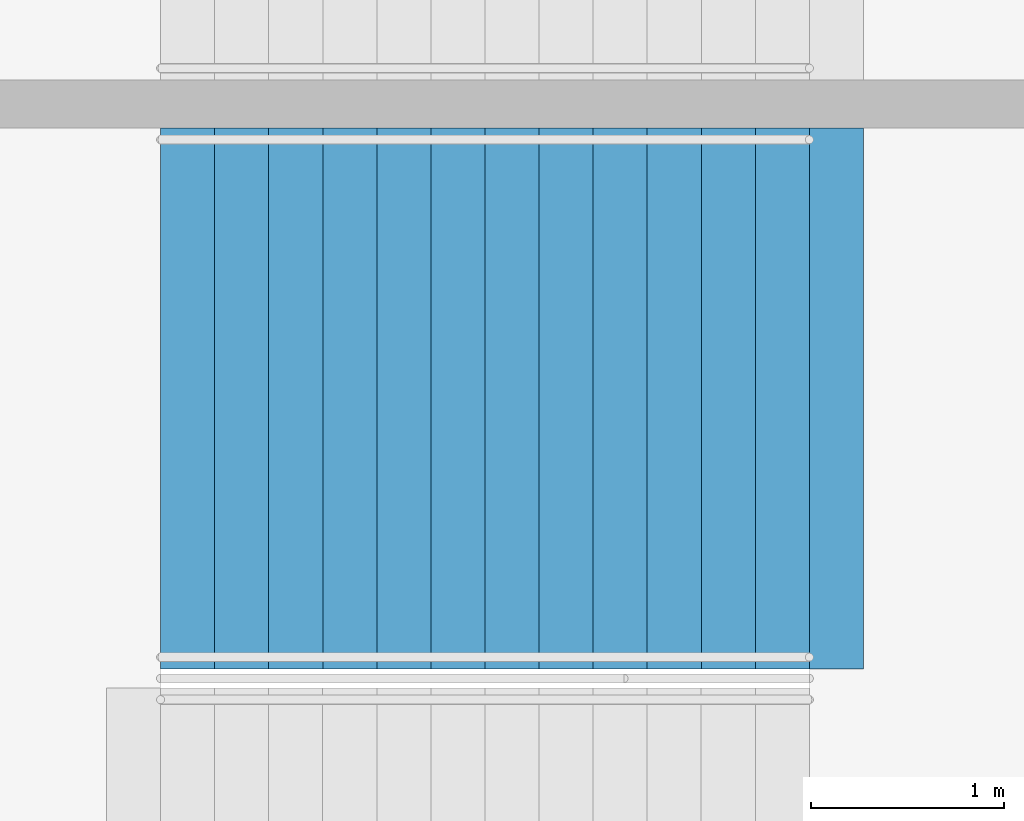
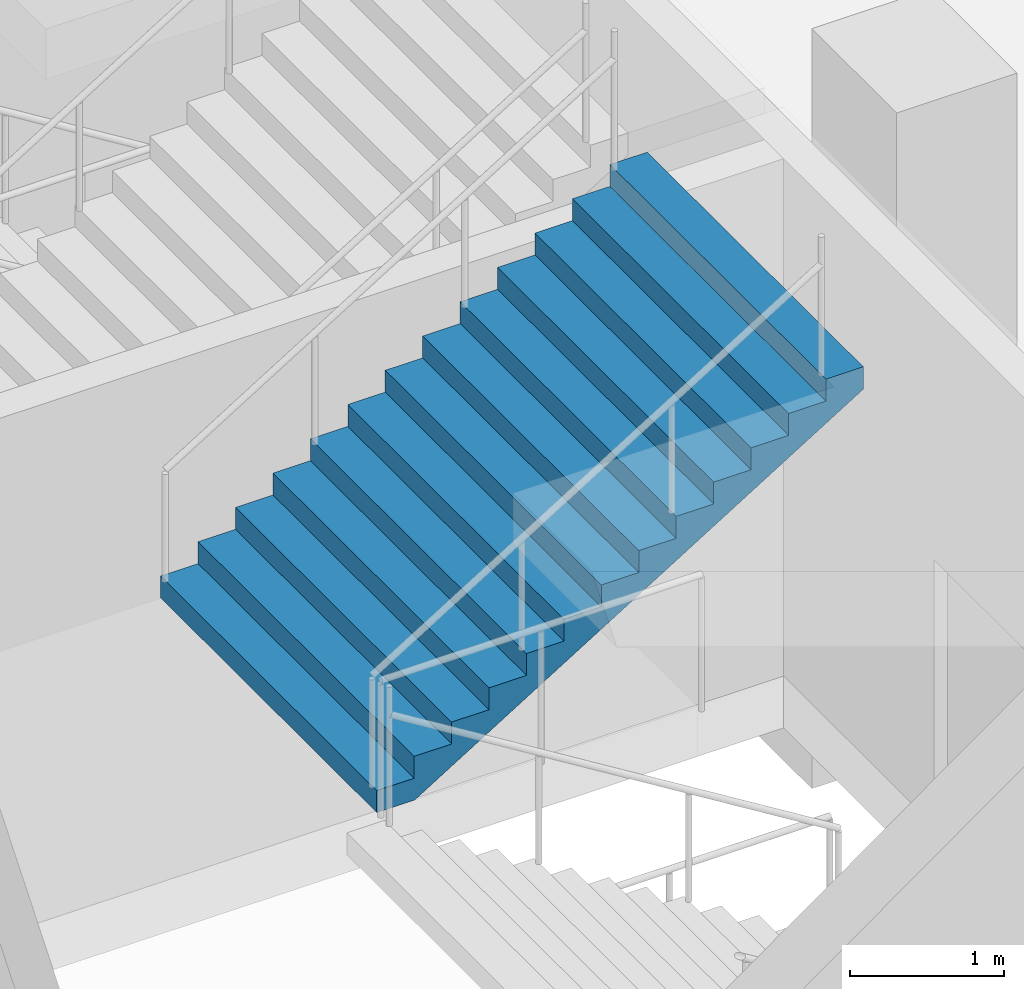
# One storey, part 166 of 249: 1 stair flight, 1 element without a shape of its own.
"""IFC4 building model written with IfcOpenShell, lengths in metres."""

from ifc_helpers import new_model, si_unit, direction, frame, origin, place, context, subcontext, project, spatial, faceted_brep, material, type_object, element, aggregate, save


model = new_model("IFC4")

# Units and contexts
model_context = context("Model", 3, precision=1e-05, world=origin(), true_north=direction((0.0, 1.0)))
body_context = subcontext(model_context, "Body", "Model", "MODEL_VIEW")
ifc_project = project(units=[si_unit("LENGTHUNIT", "METRE"), si_unit("AREAUNIT", "SQUARE_METRE"), si_unit("VOLUMEUNIT", "CUBIC_METRE"), si_unit("PLANEANGLEUNIT", "RADIAN"), si_unit("MASSUNIT", "GRAM", prefix="KILO")], contexts=[model_context])

# Site, building, storey
site_placement = place(None, origin())
site = spatial("IfcSite", under=ifc_project, at=site_placement, CompositionType="ELEMENT")
building_placement = place(site_placement, origin())
building = spatial("IfcBuilding", under=site, at=building_placement, Name="Ogive Plaza Stadium", CompositionType="ELEMENT")
storey_placement = place(building_placement, frame((0.0, 0.0, 13.5)))
storey = spatial("IfcBuildingStorey", under=building, at=storey_placement, Name="L03", CompositionType="ELEMENT", Elevation=13.5)

# Stair, stair flight
ifc_material_1 = material(Name="Concrete C40/50", Category="concrete")
stair_type = type_object("IfcStairType", Name="Exit stair", PredefinedType="STRAIGHT_RUN_STAIR", material=ifc_material_1)
stair_placement = place(storey_placement, origin())
stair = element("IfcStair", 1, at=stair_placement, inside=storey, type_object=stair_type, Name="Exit stair ST26B L03 to L04", PredefinedType="STRAIGHT_RUN_STAIR")
ifc_material_2 = material(Name="Concrete C40/50", Category="concrete")
stair_flight_type = type_object("IfcStairFlightType", Name="Exit stair flight", PredefinedType="STRAIGHT", material=ifc_material_2)
stair_flight_placement = place(storey_placement, frame((-79.7099609375, 20.97509765625, 2.25), z_axis=(0.0, 0.0, 1.0), x_axis=(1.0, 0.0, 0.0)))
stair_flight = element("IfcStairFlight", 2, at=stair_flight_placement, type_object=stair_flight_type, Name="ST26B flight 2", NumberOfRisers=13, NumberOfTreads=12, PredefinedType="STRAIGHT", RiserHeight=0.173076923, TreadLength=0.28, context=body_context, shape_type="Brep", body=[
    faceted_brep([(0.28515625, -1.39990234375, 0.0), (3.639892578125, -1.39990234375, 2.07373046875), (3.639892578125, -1.39990234375, 2.25), (3.360107421875, -1.39990234375, 2.25), (3.360107421875, -1.39990234375, 2.076904296875), (3.080078125, -1.39990234375, 2.076904296875), (3.080078125, -1.39990234375, 1.90380859375), (2.800048828125, -1.39990234375, 1.90380859375), (2.800048828125, -1.39990234375, 1.730712890625), (2.52001953125, -1.39990234375, 1.730712890625), (2.52001953125, -1.39990234375, 1.5576171875), (2.239990234375, -1.39990234375, 1.5576171875), (2.239990234375, -1.39990234375, 1.384521484375), (1.9599609375, -1.39990234375, 1.384521484375), (1.9599609375, -1.39990234375, 1.21142578125), (1.679931640625, -1.39990234375, 1.21142578125), (1.679931640625, -1.39990234375, 1.03857421875), (1.39990234375, -1.39990234375, 1.03857421875), (1.39990234375, -1.39990234375, 0.865478515625), (1.1201171875, -1.39990234375, 0.865478515625), (1.1201171875, -1.39990234375, 0.6923828125), (0.840087890625, -1.39990234375, 0.6923828125), (0.840087890625, -1.39990234375, 0.519287109375), (0.56005859375, -1.39990234375, 0.519287109375), (0.56005859375, -1.39990234375, 0.34619140625), (0.280029296875, -1.39990234375, 0.34619140625), (0.280029296875, -1.39990234375, 0.173095703125), (0.0, -1.39990234375, 0.173095703125), (0.0, -1.39990234375, 0.0), (0.0, 1.39990234375, 0.0), (0.0, 1.39990234375, 0.173095703125), (0.280029296875, 1.39990234375, 0.173095703125), (0.280029296875, 1.39990234375, 0.34619140625), (0.56005859375, 1.39990234375, 0.34619140625), (0.56005859375, 1.39990234375, 0.519287109375), (0.840087890625, 1.39990234375, 0.519287109375), (0.840087890625, 1.39990234375, 0.6923828125), (1.1201171875, 1.39990234375, 0.6923828125), (1.1201171875, 1.39990234375, 0.865478515625), (1.39990234375, 1.39990234375, 0.865478515625), (1.39990234375, 1.39990234375, 1.03857421875), (1.679931640625, 1.39990234375, 1.03857421875), (1.679931640625, 1.39990234375, 1.21142578125), (1.9599609375, 1.39990234375, 1.21142578125), (1.9599609375, 1.39990234375, 1.384521484375), (2.239990234375, 1.39990234375, 1.384521484375), (2.239990234375, 1.39990234375, 1.5576171875), (2.52001953125, 1.39990234375, 1.5576171875), (2.52001953125, 1.39990234375, 1.730712890625), (2.800048828125, 1.39990234375, 1.730712890625), (2.800048828125, 1.39990234375, 1.90380859375), (3.080078125, 1.39990234375, 1.90380859375), (3.080078125, 1.39990234375, 2.076904296875), (3.360107421875, 1.39990234375, 2.076904296875), (3.360107421875, 1.39990234375, 2.25), (3.639892578125, 1.39990234375, 2.25), (3.639892578125, 1.39990234375, 2.07373046875), (0.28515625, 1.39990234375, 0.0), (0.28515625, -1.0888671875, 0.0), (3.639892578125, -1.0888671875, 2.07373046875), (0.28515625, -0.77783203125, 0.0), (3.639892578125, -0.77783203125, 2.07373046875), (0.28515625, -0.466796875, 0.0), (3.639892578125, -0.466796875, 2.07373046875), (0.28515625, -0.155517578125, 0.0), (3.639892578125, -0.155517578125, 2.07373046875), (0.28515625, 0.155517578125, 0.0), (3.639892578125, 0.155517578125, 2.07373046875), (0.28515625, 0.466796875, 0.0), (3.639892578125, 0.466796875, 2.07373046875), (0.28515625, 0.77783203125, 0.0), (3.639892578125, 0.77783203125, 2.07373046875), (0.28515625, 1.0888671875, 0.0), (3.639892578125, 1.0888671875, 2.07373046875), (3.639892578125, -1.0888671875, 2.25), (3.639892578125, -0.77783203125, 2.25), (3.639892578125, -0.466796875, 2.25), (3.639892578125, -0.155517578125, 2.25), (3.639892578125, 0.155517578125, 2.25), (3.639892578125, 0.466796875, 2.25), (3.639892578125, 0.77783203125, 2.25), (3.639892578125, 1.0888671875, 2.25), (3.360107421875, -1.0888671875, 2.25), (3.360107421875, -0.77783203125, 2.25), (3.360107421875, -0.466796875, 2.25), (3.360107421875, -0.155517578125, 2.25), (3.360107421875, 0.155517578125, 2.25), (3.360107421875, 0.466796875, 2.25), (3.360107421875, 0.77783203125, 2.25), (3.360107421875, 1.0888671875, 2.25), (3.360107421875, -1.0888671875, 2.076904296875), (3.360107421875, -0.77783203125, 2.076904296875), (3.360107421875, -0.466796875, 2.076904296875), (3.360107421875, -0.155517578125, 2.076904296875), (3.360107421875, 0.155517578125, 2.076904296875), (3.360107421875, 0.466796875, 2.076904296875), (3.360107421875, 0.77783203125, 2.076904296875), (3.360107421875, 1.0888671875, 2.076904296875), (3.080078125, -1.0888671875, 2.076904296875), (3.080078125, -0.77783203125, 2.076904296875), (3.080078125, -0.466796875, 2.076904296875), (3.080078125, -0.155517578125, 2.076904296875), (3.080078125, 0.155517578125, 2.076904296875), (3.080078125, 0.466796875, 2.076904296875), (3.080078125, 0.77783203125, 2.076904296875), (3.080078125, 1.0888671875, 2.076904296875), (3.080078125, -1.0888671875, 1.90380859375), (3.080078125, -0.77783203125, 1.90380859375), (3.080078125, -0.466796875, 1.90380859375), (3.080078125, -0.155517578125, 1.90380859375), (3.080078125, 0.155517578125, 1.90380859375), (3.080078125, 0.466796875, 1.90380859375), (3.080078125, 0.77783203125, 1.90380859375), (3.080078125, 1.0888671875, 1.90380859375), (2.800048828125, -1.0888671875, 1.90380859375), (2.800048828125, -0.77783203125, 1.90380859375), (2.800048828125, -0.466796875, 1.90380859375), (2.800048828125, -0.155517578125, 1.90380859375), (2.800048828125, 0.155517578125, 1.90380859375), (2.800048828125, 0.466796875, 1.90380859375), (2.800048828125, 0.77783203125, 1.90380859375), (2.800048828125, 1.0888671875, 1.90380859375), (2.800048828125, -1.0888671875, 1.730712890625), (2.800048828125, -0.77783203125, 1.730712890625), (2.800048828125, -0.466796875, 1.730712890625), (2.800048828125, -0.155517578125, 1.730712890625), (2.800048828125, 0.155517578125, 1.730712890625), (2.800048828125, 0.466796875, 1.730712890625), (2.800048828125, 0.77783203125, 1.730712890625), (2.800048828125, 1.0888671875, 1.730712890625), (2.52001953125, -1.0888671875, 1.730712890625), (2.52001953125, -0.77783203125, 1.730712890625), (2.52001953125, -0.466796875, 1.730712890625), (2.52001953125, -0.155517578125, 1.730712890625), (2.52001953125, 0.155517578125, 1.730712890625), (2.52001953125, 0.466796875, 1.730712890625), (2.52001953125, 0.77783203125, 1.730712890625), (2.52001953125, 1.0888671875, 1.730712890625), (2.52001953125, -1.0888671875, 1.5576171875), (2.52001953125, -0.77783203125, 1.5576171875), (2.52001953125, -0.466796875, 1.5576171875), (2.52001953125, -0.155517578125, 1.5576171875), (2.52001953125, 0.155517578125, 1.5576171875), (2.52001953125, 0.466796875, 1.5576171875), (2.52001953125, 0.77783203125, 1.5576171875), (2.52001953125, 1.0888671875, 1.5576171875), (2.239990234375, -1.0888671875, 1.5576171875), (2.239990234375, -0.77783203125, 1.5576171875), (2.239990234375, -0.466796875, 1.5576171875), (2.239990234375, -0.155517578125, 1.5576171875), (2.239990234375, 0.155517578125, 1.5576171875), (2.239990234375, 0.466796875, 1.5576171875), (2.239990234375, 0.77783203125, 1.5576171875), (2.239990234375, 1.0888671875, 1.5576171875), (2.239990234375, -1.0888671875, 1.384521484375), (2.239990234375, -0.77783203125, 1.384521484375), (2.239990234375, -0.466796875, 1.384521484375), (2.239990234375, -0.155517578125, 1.384521484375), (2.239990234375, 0.155517578125, 1.384521484375), (2.239990234375, 0.466796875, 1.384521484375), (2.239990234375, 0.77783203125, 1.384521484375), (2.239990234375, 1.0888671875, 1.384521484375), (1.9599609375, -1.0888671875, 1.384521484375), (1.9599609375, -0.77783203125, 1.384521484375), (1.9599609375, -0.466796875, 1.384521484375), (1.9599609375, -0.155517578125, 1.384521484375), (1.9599609375, 0.155517578125, 1.384521484375), (1.9599609375, 0.466796875, 1.384521484375), (1.9599609375, 0.77783203125, 1.384521484375), (1.9599609375, 1.0888671875, 1.384521484375), (1.9599609375, -1.0888671875, 1.21142578125), (1.9599609375, -0.77783203125, 1.21142578125), (1.9599609375, -0.466796875, 1.21142578125), (1.9599609375, -0.155517578125, 1.21142578125), (1.9599609375, 0.155517578125, 1.21142578125), (1.9599609375, 0.466796875, 1.21142578125), (1.9599609375, 0.77783203125, 1.21142578125), (1.9599609375, 1.0888671875, 1.21142578125), (1.679931640625, -1.0888671875, 1.21142578125), (1.679931640625, -0.77783203125, 1.21142578125), (1.679931640625, -0.466796875, 1.21142578125), (1.679931640625, -0.155517578125, 1.21142578125), (1.679931640625, 0.155517578125, 1.21142578125), (1.679931640625, 0.466796875, 1.21142578125), (1.679931640625, 0.77783203125, 1.21142578125), (1.679931640625, 1.0888671875, 1.21142578125), (1.679931640625, -1.0888671875, 1.03857421875), (1.679931640625, -0.77783203125, 1.03857421875), (1.679931640625, -0.466796875, 1.03857421875), (1.679931640625, -0.155517578125, 1.03857421875), (1.679931640625, 0.155517578125, 1.03857421875), (1.679931640625, 0.466796875, 1.03857421875), (1.679931640625, 0.77783203125, 1.03857421875), (1.679931640625, 1.0888671875, 1.03857421875), (1.39990234375, -1.0888671875, 1.03857421875), (1.39990234375, -0.77783203125, 1.03857421875), (1.39990234375, -0.466796875, 1.03857421875), (1.39990234375, -0.155517578125, 1.03857421875), (1.39990234375, 0.155517578125, 1.03857421875), (1.39990234375, 0.466796875, 1.03857421875), (1.39990234375, 0.77783203125, 1.03857421875), (1.39990234375, 1.0888671875, 1.03857421875), (1.39990234375, -1.0888671875, 0.865478515625), (1.39990234375, -0.77783203125, 0.865478515625), (1.39990234375, -0.466796875, 0.865478515625), (1.39990234375, -0.155517578125, 0.865478515625), (1.39990234375, 0.155517578125, 0.865478515625), (1.39990234375, 0.466796875, 0.865478515625), (1.39990234375, 0.77783203125, 0.865478515625), (1.39990234375, 1.0888671875, 0.865478515625), (1.1201171875, -1.0888671875, 0.865478515625), (1.1201171875, -0.77783203125, 0.865478515625), (1.1201171875, -0.466796875, 0.865478515625), (1.1201171875, -0.155517578125, 0.865478515625), (1.1201171875, 0.155517578125, 0.865478515625), (1.1201171875, 0.466796875, 0.865478515625), (1.1201171875, 0.77783203125, 0.865478515625), (1.1201171875, 1.0888671875, 0.865478515625), (1.1201171875, -1.0888671875, 0.6923828125), (1.1201171875, -0.77783203125, 0.6923828125), (1.1201171875, -0.466796875, 0.6923828125), (1.1201171875, -0.155517578125, 0.6923828125), (1.1201171875, 0.155517578125, 0.6923828125), (1.1201171875, 0.466796875, 0.6923828125), (1.1201171875, 0.77783203125, 0.6923828125), (1.1201171875, 1.0888671875, 0.6923828125), (0.840087890625, -1.0888671875, 0.6923828125), (0.840087890625, -0.77783203125, 0.6923828125), (0.840087890625, -0.466796875, 0.6923828125), (0.840087890625, -0.155517578125, 0.6923828125), (0.840087890625, 0.155517578125, 0.6923828125), (0.840087890625, 0.466796875, 0.6923828125), (0.840087890625, 0.77783203125, 0.6923828125), (0.840087890625, 1.0888671875, 0.6923828125), (0.840087890625, -1.0888671875, 0.519287109375), (0.840087890625, -0.77783203125, 0.519287109375), (0.840087890625, -0.466796875, 0.519287109375), (0.840087890625, -0.155517578125, 0.519287109375), (0.840087890625, 0.155517578125, 0.519287109375), (0.840087890625, 0.466796875, 0.519287109375), (0.840087890625, 0.77783203125, 0.519287109375), (0.840087890625, 1.0888671875, 0.519287109375), (0.56005859375, -1.0888671875, 0.519287109375), (0.56005859375, -0.77783203125, 0.519287109375), (0.56005859375, -0.466796875, 0.519287109375), (0.56005859375, -0.155517578125, 0.519287109375), (0.56005859375, 0.155517578125, 0.519287109375), (0.56005859375, 0.466796875, 0.519287109375), (0.56005859375, 0.77783203125, 0.519287109375), (0.56005859375, 1.0888671875, 0.519287109375), (0.56005859375, -1.0888671875, 0.34619140625), (0.56005859375, -0.77783203125, 0.34619140625), (0.56005859375, -0.466796875, 0.34619140625), (0.56005859375, -0.155517578125, 0.34619140625), (0.56005859375, 0.155517578125, 0.34619140625), (0.56005859375, 0.466796875, 0.34619140625), (0.56005859375, 0.77783203125, 0.34619140625), (0.56005859375, 1.0888671875, 0.34619140625), (0.280029296875, -1.0888671875, 0.34619140625), (0.280029296875, -0.77783203125, 0.34619140625), (0.280029296875, -0.466796875, 0.34619140625), (0.280029296875, -0.155517578125, 0.34619140625), (0.280029296875, 0.155517578125, 0.34619140625), (0.280029296875, 0.466796875, 0.34619140625), (0.280029296875, 0.77783203125, 0.34619140625), (0.280029296875, 1.0888671875, 0.34619140625), (0.280029296875, -1.0888671875, 0.173095703125), (0.280029296875, -0.77783203125, 0.173095703125), (0.280029296875, -0.466796875, 0.173095703125), (0.280029296875, -0.155517578125, 0.173095703125), (0.280029296875, 0.155517578125, 0.173095703125), (0.280029296875, 0.466796875, 0.173095703125), (0.280029296875, 0.77783203125, 0.173095703125), (0.280029296875, 1.0888671875, 0.173095703125), (0.0, -1.0888671875, 0.173095703125), (0.0, -0.77783203125, 0.173095703125), (0.0, -0.466796875, 0.173095703125), (0.0, -0.155517578125, 0.173095703125), (0.0, 0.155517578125, 0.173095703125), (0.0, 0.466796875, 0.173095703125), (0.0, 0.77783203125, 0.173095703125), (0.0, 1.0888671875, 0.173095703125), (0.0, -1.0888671875, 0.0), (0.0, -0.77783203125, 0.0), (0.0, -0.466796875, 0.0), (0.0, -0.155517578125, 0.0), (0.0, 0.155517578125, 0.0), (0.0, 0.466796875, 0.0), (0.0, 0.77783203125, 0.0), (0.0, 1.0888671875, 0.0)], [[[0, 1, 2, 3, 4, 5, 6, 7, 8, 9, 10, 11, 12, 13, 14, 15, 16, 17, 18, 19, 20, 21, 22, 23, 24, 25, 26, 27, 28]], [[29, 30, 31, 32, 33, 34, 35, 36, 37, 38, 39, 40, 41, 42, 43, 44, 45, 46, 47, 48, 49, 50, 51, 52, 53, 54, 55, 56, 57]], [[0, 58, 59, 1]], [[58, 60, 61, 59]], [[60, 62, 63, 61]], [[62, 64, 65, 63]], [[64, 66, 67, 65]], [[66, 68, 69, 67]], [[68, 70, 71, 69]], [[70, 72, 73, 71]], [[72, 57, 56, 73]], [[1, 59, 74, 2]], [[59, 61, 75, 74]], [[61, 63, 76, 75]], [[63, 65, 77, 76]], [[65, 67, 78, 77]], [[67, 69, 79, 78]], [[69, 71, 80, 79]], [[71, 73, 81, 80]], [[73, 56, 55, 81]], [[2, 74, 82, 3]], [[74, 75, 83, 82]], [[75, 76, 84, 83]], [[76, 77, 85, 84]], [[77, 78, 86, 85]], [[78, 79, 87, 86]], [[79, 80, 88, 87]], [[80, 81, 89, 88]], [[81, 55, 54, 89]], [[3, 82, 90, 4]], [[82, 83, 91, 90]], [[83, 84, 92, 91]], [[84, 85, 93, 92]], [[85, 86, 94, 93]], [[86, 87, 95, 94]], [[87, 88, 96, 95]], [[88, 89, 97, 96]], [[89, 54, 53, 97]], [[4, 90, 98, 5]], [[90, 91, 99, 98]], [[91, 92, 100, 99]], [[92, 93, 101, 100]], [[93, 94, 102, 101]], [[94, 95, 103, 102]], [[95, 96, 104, 103]], [[96, 97, 105, 104]], [[97, 53, 52, 105]], [[5, 98, 106, 6]], [[98, 99, 107, 106]], [[99, 100, 108, 107]], [[100, 101, 109, 108]], [[101, 102, 110, 109]], [[102, 103, 111, 110]], [[103, 104, 112, 111]], [[104, 105, 113, 112]], [[105, 52, 51, 113]], [[6, 106, 114, 7]], [[106, 107, 115, 114]], [[107, 108, 116, 115]], [[108, 109, 117, 116]], [[109, 110, 118, 117]], [[110, 111, 119, 118]], [[111, 112, 120, 119]], [[112, 113, 121, 120]], [[113, 51, 50, 121]], [[7, 114, 122, 8]], [[114, 115, 123, 122]], [[115, 116, 124, 123]], [[116, 117, 125, 124]], [[117, 118, 126, 125]], [[118, 119, 127, 126]], [[119, 120, 128, 127]], [[120, 121, 129, 128]], [[121, 50, 49, 129]], [[8, 122, 130, 9]], [[122, 123, 131, 130]], [[123, 124, 132, 131]], [[124, 125, 133, 132]], [[125, 126, 134, 133]], [[126, 127, 135, 134]], [[127, 128, 136, 135]], [[128, 129, 137, 136]], [[129, 49, 48, 137]], [[9, 130, 138, 10]], [[130, 131, 139, 138]], [[131, 132, 140, 139]], [[132, 133, 141, 140]], [[133, 134, 142, 141]], [[134, 135, 143, 142]], [[135, 136, 144, 143]], [[136, 137, 145, 144]], [[137, 48, 47, 145]], [[10, 138, 146, 11]], [[138, 139, 147, 146]], [[139, 140, 148, 147]], [[140, 141, 149, 148]], [[141, 142, 150, 149]], [[142, 143, 151, 150]], [[143, 144, 152, 151]], [[144, 145, 153, 152]], [[145, 47, 46, 153]], [[11, 146, 154, 12]], [[146, 147, 155, 154]], [[147, 148, 156, 155]], [[148, 149, 157, 156]], [[149, 150, 158, 157]], [[150, 151, 159, 158]], [[151, 152, 160, 159]], [[152, 153, 161, 160]], [[153, 46, 45, 161]], [[12, 154, 162, 13]], [[154, 155, 163, 162]], [[155, 156, 164, 163]], [[156, 157, 165, 164]], [[157, 158, 166, 165]], [[158, 159, 167, 166]], [[159, 160, 168, 167]], [[160, 161, 169, 168]], [[161, 45, 44, 169]], [[13, 162, 170, 14]], [[162, 163, 171, 170]], [[163, 164, 172, 171]], [[164, 165, 173, 172]], [[165, 166, 174, 173]], [[166, 167, 175, 174]], [[167, 168, 176, 175]], [[168, 169, 177, 176]], [[169, 44, 43, 177]], [[14, 170, 178, 15]], [[170, 171, 179, 178]], [[171, 172, 180, 179]], [[172, 173, 181, 180]], [[173, 174, 182, 181]], [[174, 175, 183, 182]], [[175, 176, 184, 183]], [[176, 177, 185, 184]], [[177, 43, 42, 185]], [[15, 178, 186, 16]], [[178, 179, 187, 186]], [[179, 180, 188, 187]], [[180, 181, 189, 188]], [[181, 182, 190, 189]], [[182, 183, 191, 190]], [[183, 184, 192, 191]], [[184, 185, 193, 192]], [[185, 42, 41, 193]], [[16, 186, 194, 17]], [[186, 187, 195, 194]], [[187, 188, 196, 195]], [[188, 189, 197, 196]], [[189, 190, 198, 197]], [[190, 191, 199, 198]], [[191, 192, 200, 199]], [[192, 193, 201, 200]], [[193, 41, 40, 201]], [[17, 194, 202, 18]], [[194, 195, 203, 202]], [[195, 196, 204, 203]], [[196, 197, 205, 204]], [[197, 198, 206, 205]], [[198, 199, 207, 206]], [[199, 200, 208, 207]], [[200, 201, 209, 208]], [[201, 40, 39, 209]], [[18, 202, 210, 19]], [[202, 203, 211, 210]], [[203, 204, 212, 211]], [[204, 205, 213, 212]], [[205, 206, 214, 213]], [[206, 207, 215, 214]], [[207, 208, 216, 215]], [[208, 209, 217, 216]], [[209, 39, 38, 217]], [[19, 210, 218, 20]], [[210, 211, 219, 218]], [[211, 212, 220, 219]], [[212, 213, 221, 220]], [[213, 214, 222, 221]], [[214, 215, 223, 222]], [[215, 216, 224, 223]], [[216, 217, 225, 224]], [[217, 38, 37, 225]], [[20, 218, 226, 21]], [[218, 219, 227, 226]], [[219, 220, 228, 227]], [[220, 221, 229, 228]], [[221, 222, 230, 229]], [[222, 223, 231, 230]], [[223, 224, 232, 231]], [[224, 225, 233, 232]], [[225, 37, 36, 233]], [[21, 226, 234, 22]], [[226, 227, 235, 234]], [[227, 228, 236, 235]], [[228, 229, 237, 236]], [[229, 230, 238, 237]], [[230, 231, 239, 238]], [[231, 232, 240, 239]], [[232, 233, 241, 240]], [[233, 36, 35, 241]], [[22, 234, 242, 23]], [[234, 235, 243, 242]], [[235, 236, 244, 243]], [[236, 237, 245, 244]], [[237, 238, 246, 245]], [[238, 239, 247, 246]], [[239, 240, 248, 247]], [[240, 241, 249, 248]], [[241, 35, 34, 249]], [[23, 242, 250, 24]], [[242, 243, 251, 250]], [[243, 244, 252, 251]], [[244, 245, 253, 252]], [[245, 246, 254, 253]], [[246, 247, 255, 254]], [[247, 248, 256, 255]], [[248, 249, 257, 256]], [[249, 34, 33, 257]], [[24, 250, 258, 25]], [[250, 251, 259, 258]], [[251, 252, 260, 259]], [[252, 253, 261, 260]], [[253, 254, 262, 261]], [[254, 255, 263, 262]], [[255, 256, 264, 263]], [[256, 257, 265, 264]], [[257, 33, 32, 265]], [[25, 258, 266, 26]], [[258, 259, 267, 266]], [[259, 260, 268, 267]], [[260, 261, 269, 268]], [[261, 262, 270, 269]], [[262, 263, 271, 270]], [[263, 264, 272, 271]], [[264, 265, 273, 272]], [[265, 32, 31, 273]], [[26, 266, 274, 27]], [[266, 267, 275, 274]], [[267, 268, 276, 275]], [[268, 269, 277, 276]], [[269, 270, 278, 277]], [[270, 271, 279, 278]], [[271, 272, 280, 279]], [[272, 273, 281, 280]], [[273, 31, 30, 281]], [[27, 274, 282, 28]], [[274, 275, 283, 282]], [[275, 276, 284, 283]], [[276, 277, 285, 284]], [[277, 278, 286, 285]], [[278, 279, 287, 286]], [[279, 280, 288, 287]], [[280, 281, 289, 288]], [[281, 30, 29, 289]], [[28, 282, 58, 0]], [[282, 283, 60, 58]], [[283, 284, 62, 60]], [[284, 285, 64, 62]], [[285, 286, 66, 64]], [[286, 287, 68, 66]], [[287, 288, 70, 68]], [[288, 289, 72, 70]], [[289, 29, 57, 72]]]),
])
aggregate(stair, [stair_flight])

save(model, "model.ifc")
